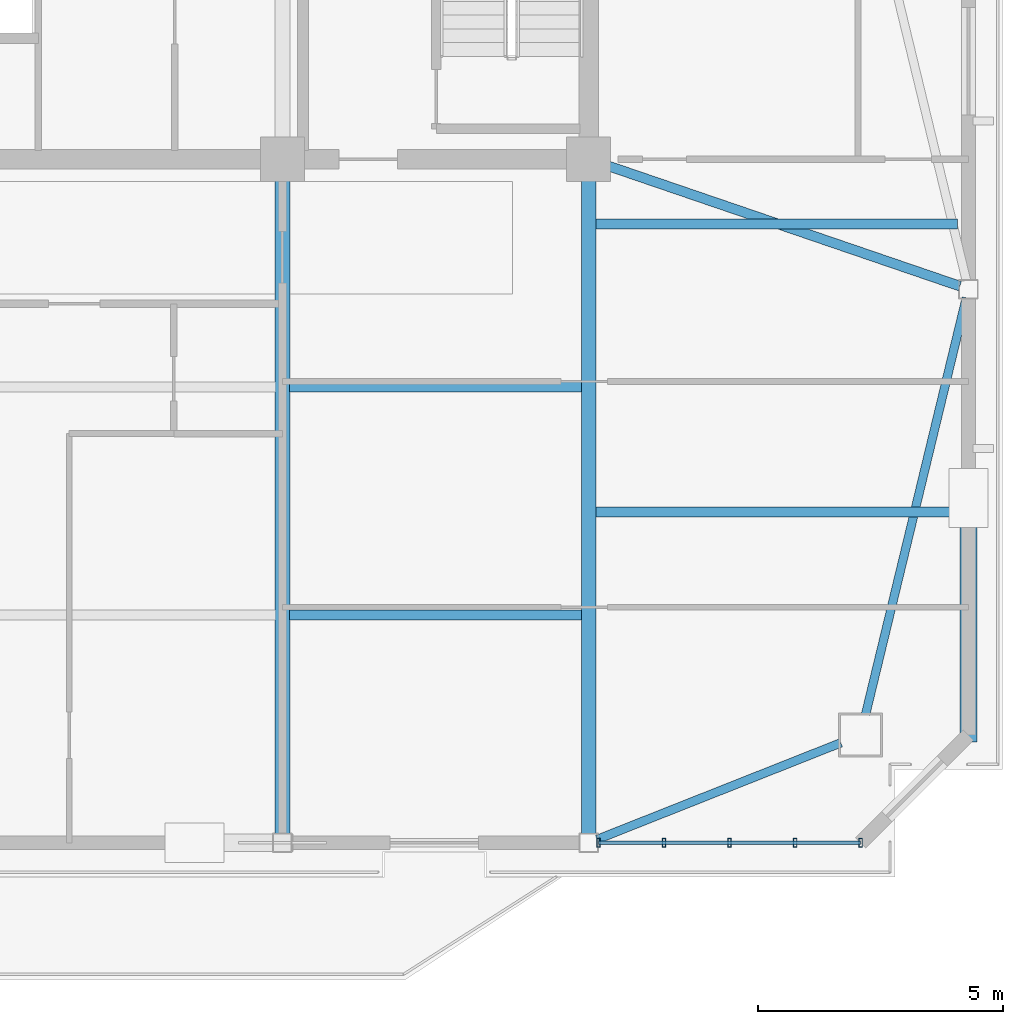
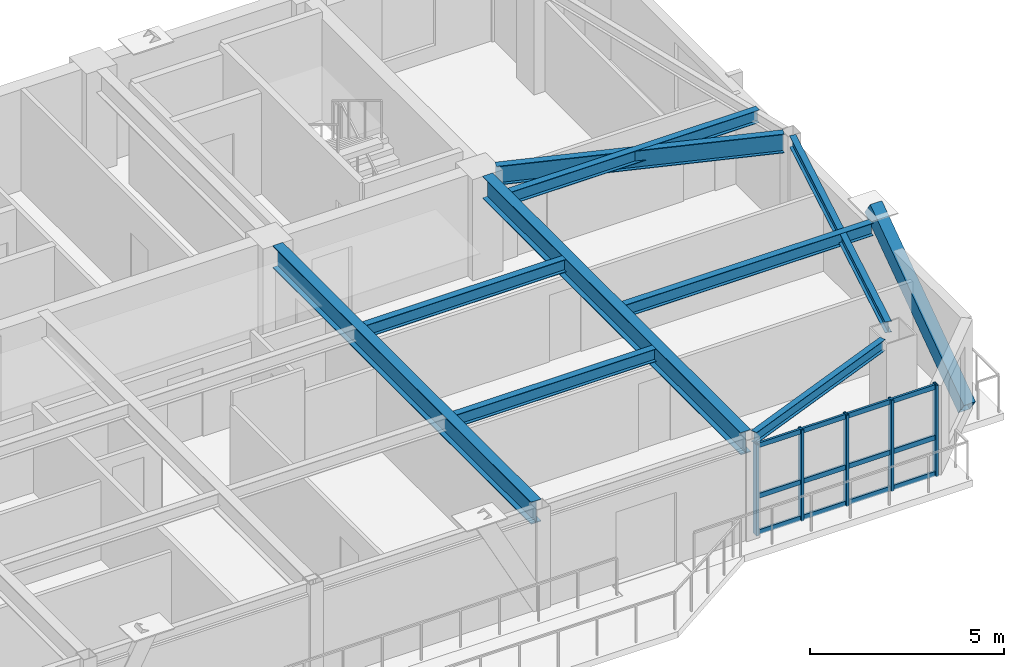
# One storey, part 4 of 12: 9 beams, 9 members, 1 element without a shape of its own.
"""IFC4 building model written with IfcOpenShell, lengths in metres."""

from ifc_helpers import new_model, si_unit, direction, frame, origin, origin_2d, place, context, subcontext, project, spatial, hollow_rectangle, i_section, extrude, source, transform, mapped, material, layer, layer_set, material_profile, profile_set, type_object, element, aggregate, save


model = new_model("IFC4")

# Units and contexts
model_context = context("Model", 3, precision=1e-05, world=origin(), true_north=direction((0.0, 1.0)))
body_context = subcontext(model_context, "Body", "Model", "MODEL_VIEW")
ifc_project = project(units=[si_unit("LENGTHUNIT", "METRE"), si_unit("AREAUNIT", "SQUARE_METRE"), si_unit("VOLUMEUNIT", "CUBIC_METRE"), si_unit("PLANEANGLEUNIT", "RADIAN"), si_unit("MASSUNIT", "GRAM", prefix="KILO")], contexts=[model_context])

# Site, building, storey
site_placement = place(None, origin())
site = spatial("IfcSite", under=ifc_project, at=site_placement, CompositionType="ELEMENT")
building_placement = place(site_placement, origin())
building = spatial("IfcBuilding", under=site, at=building_placement, Name="Giltprow Tower", CompositionType="ELEMENT")
storey_placement = place(building_placement, frame((0.0, 0.0, 345.89990234375)))
storey = spatial("IfcBuildingStorey", under=building, at=storey_placement, Name="L90", CompositionType="ELEMENT", Elevation=345.89990234375)

# Beams
ifc_material_1 = material(Name="Structural steel Q355B", Category="steel")
ifc_material_profile_1 = material_profile(ifc_material_1, i_section(OverallWidth=0.199951171875, OverallDepth=0.39990234375, WebThickness=0.008056640625, FlangeThickness=0.012939453125, at=origin_2d()), Name="HN 400x200x8x13")
ifc_profile_set_1 = profile_set([ifc_material_profile_1], Name="Structural steel Q355B")
beam_type_1 = type_object("IfcBeamType", Name="BM-JOIST-HN400", PredefinedType="JOIST", material=ifc_profile_set_1)
shared_shape_1 = source(origin(), body_context, "Body", "SweptSolid", [
    extrude(i_section(OverallWidth=0.199951171875, OverallDepth=0.39990234375, WebThickness=0.008056640625, FlangeThickness=0.012939453125, at=origin_2d()), origin(), (0.0, 0.0, 1.0), 5.9599609375),
])
for number, where, z_axis, x_axis, name in (
    (1, (44.445068359375, 28.14990234375, 2.985107421875), (1.0, 0.0, 0.0), (0.0, 1.0, 0.0), "L90 Composite Floor Joist 1-4"),
    (2, (44.445068359375, 32.800048828125, 2.985107421875), (1.0, 0.0, 0.0), (0.0, 1.0, 0.0), "L90 Composite Floor Joist 2-4"),
):
    element("IfcBeam", number, at=place(storey_placement, frame(where, z_axis=z_axis, x_axis=x_axis)), inside=storey, type_object=beam_type_1, Name=name, PredefinedType="JOIST", context=body_context, shape_type="MappedRepresentation", body=[
        mapped(shared_shape_1, transform((0.0, 0.0, 0.0), x_axis=(1.0, 0.0, 0.0), y_axis=(0.0, 1.0, 0.0), z_axis=(0.0, 0.0, 1.0), scale=1.0)),
    ])
ifc_material_profile_2 = material_profile(ifc_material_1, i_section(OverallWidth=0.175048828125, OverallDepth=0.35009765625, WebThickness=0.007080078125, FlangeThickness=0.010986328125, at=origin_2d()), Name="HN 350x175x7x11")
ifc_profile_set_2 = profile_set([ifc_material_profile_2], Name="Structural steel Q355B")
beam_type_2 = type_object("IfcBeamType", Name="BM-SPAN-HN350", PredefinedType="SPANDREL", material=ifc_profile_set_2)
shared_shape_2 = source(origin(), body_context, "Body", "SweptSolid", [
    extrude(i_section(OverallWidth=0.175048828125, OverallDepth=0.35009765625, WebThickness=0.007080078125, FlangeThickness=0.010986328125, at=origin_2d()), origin(), (0.0, 0.0, 1.0), 5.350830078125),
])
beam_1_placement = place(storey_placement, frame((50.721923828125, 23.568115234375, 3.010009765625), z_axis=(0.929614560118, 0.368533267992, 0.0), x_axis=(-0.368533267992, 0.929614560118, 0.0)))
element("IfcBeam", 3, at=beam_1_placement, inside=storey, type_object=beam_type_2, Name="L90 Perimeter Spandrel Beam S4-MC_SE", PredefinedType="SPANDREL", context=body_context, shape_type="MappedRepresentation", body=[
    mapped(shared_shape_2, transform((0.0, 0.0, 0.0), x_axis=(1.0, 0.0, 0.0), y_axis=(0.0, 1.0, 0.0), z_axis=(0.0, 0.0, 1.0), scale=1.0)),
])
shared_shape_3 = source(origin(), body_context, "Body", "SweptSolid", [
    extrude(i_section(OverallWidth=0.175048828125, OverallDepth=0.35009765625, WebThickness=0.007080078125, FlangeThickness=0.010986328125, at=origin_2d()), origin(), (0.0, 0.0, 1.0), 8.7421875),
])
beam_2_placement = place(storey_placement, frame((56.201904296875, 26.123046875, 3.010009765625), z_axis=(0.235090039637, 0.971973596999, 0.0), x_axis=(-0.971973596999, 0.235090039637, 0.0)))
element("IfcBeam", 4, at=beam_2_placement, inside=storey, type_object=beam_type_2, Name="L90 Perimeter Spandrel Beam MC_SE-E_MID", PredefinedType="SPANDREL", context=body_context, shape_type="MappedRepresentation", body=[
    mapped(shared_shape_3, transform((0.0, 0.0, 0.0), x_axis=(1.0, 0.0, 0.0), y_axis=(0.0, 1.0, 0.0), z_axis=(0.0, 0.0, 1.0), scale=1.0)),
])
ifc_material_profile_3 = material_profile(ifc_material_1, i_section(OverallWidth=0.300048828125, OverallDepth=0.699951171875, WebThickness=0.012939453125, FlangeThickness=0.02392578125, at=origin_2d()), Name="HN 700x300x13x24")
ifc_profile_set_3 = profile_set([ifc_material_profile_3], Name="Structural steel Q355B")
beam_type_3 = type_object("IfcBeamType", Name="BM-GIRD-HN700", PredefinedType="BEAM", material=ifc_profile_set_3)
shared_shape_4 = source(origin(), body_context, "Body", "SweptSolid", [
    extrude(i_section(OverallWidth=0.300048828125, OverallDepth=0.699951171875, WebThickness=0.012939453125, FlangeThickness=0.02392578125, at=origin_2d()), origin(), (0.0, 0.0, 1.0), 13.329833984375),
])
for number, where, z_axis, x_axis, name in (
    (5, (44.300048828125, 23.68505859375, 2.835205078125), (0.0, 1.0, 0.0), (-1.0, 0.0, 0.0), "L90 Primary Lease Girder S3"),
    (6, (50.550048828125, 23.68505859375, 2.835205078125), (0.0, 1.0, 0.0), (-1.0, 0.0, 0.0), "L90 Primary Lease Girder S4"),
):
    element("IfcBeam", number, at=place(storey_placement, frame(where, z_axis=z_axis, x_axis=x_axis)), inside=storey, type_object=beam_type_3, Name=name, PredefinedType="BEAM", context=body_context, shape_type="MappedRepresentation", body=[
        mapped(shared_shape_4, transform((0.0, 0.0, 0.0), x_axis=(1.0, 0.0, 0.0), y_axis=(0.0, 1.0, 0.0), z_axis=(0.0, 0.0, 1.0), scale=1.0)),
    ])
ifc_material_profile_4 = material_profile(ifc_material_1, i_section(OverallWidth=0.199951171875, OverallDepth=0.60009765625, WebThickness=0.010986328125, FlangeThickness=0.01708984375, at=origin_2d()), Name="HN 600x200x11x17")
ifc_profile_set_4 = profile_set([ifc_material_profile_4], Name="Structural steel Q355B")
beam_type_4 = type_object("IfcBeamType", Name="BM-GIRD-HN600", PredefinedType="BEAM", material=ifc_profile_set_4)
shared_shape_5 = source(origin(), body_context, "Body", "SweptSolid", [
    extrude(i_section(OverallWidth=0.199951171875, OverallDepth=0.60009765625, WebThickness=0.010986328125, FlangeThickness=0.01708984375, at=origin_2d()), origin(), (0.0, 0.0, 1.0), 7.570068359375),
])
beam_3_placement = place(storey_placement, frame((58.125, 34.860107421875, 2.885009765625), z_axis=(-0.946226868373, 0.323503807657, 0.0), x_axis=(-0.323503807657, -0.946226868373, 0.0)))
element("IfcBeam", 7, at=beam_3_placement, inside=storey, type_object=beam_type_4, Name="L90 East Wing Primary Girder", PredefinedType="BEAM", context=body_context, shape_type="MappedRepresentation", body=[
    mapped(shared_shape_5, transform((0.0, 0.0, 0.0), x_axis=(1.0, 0.0, 0.0), y_axis=(0.0, 1.0, 0.0), z_axis=(0.0, 0.0, 1.0), scale=1.0)),
])
shared_shape_6 = source(origin(), body_context, "Body", "SweptSolid", [
    extrude(i_section(OverallWidth=0.199951171875, OverallDepth=0.39990234375, WebThickness=0.008056640625, FlangeThickness=0.012939453125, at=origin_2d()), origin(), (0.0, 0.0, 1.0), 7.385009765625),
])
for number, where, z_axis, x_axis, name in (
    (8, (50.695068359375, 30.25, 2.985107421875), (1.0, 0.0, 0.0), (0.0, 1.0, 0.0), "L90 East Wing Floor Joist 1"),
    (9, (50.695068359375, 36.125, 2.985107421875), (1.0, 0.0, 0.0), (0.0, 1.0, 0.0), "L90 East Wing Floor Joist 2"),
):
    element("IfcBeam", number, at=place(storey_placement, frame(where, z_axis=z_axis, x_axis=x_axis)), inside=storey, type_object=beam_type_1, Name=name, PredefinedType="JOIST", context=body_context, shape_type="MappedRepresentation", body=[
        mapped(shared_shape_6, transform((0.0, 0.0, 0.0), x_axis=(1.0, 0.0, 0.0), y_axis=(0.0, 1.0, 0.0), z_axis=(0.0, 0.0, 1.0), scale=1.0)),
    ])

# Member
ifc_material_2 = material(Name="Structural steel Q420GJC", Category="steel")
ifc_material_profile_5 = material_profile(ifc_material_2, hollow_rectangle(XDim=0.35009765625, YDim=0.5, WallThickness=0.02392578125, at=origin_2d()), Name="RHS 500x350x24")
ifc_profile_set_5 = profile_set([ifc_material_profile_5], Name="Structural steel Q420GJC")
member_type_1 = type_object("IfcMemberType", Name="MBR-MEGA-RHS500", PredefinedType="BRACE", material=ifc_profile_set_5)
shared_shape_7 = source(origin(), body_context, "Body", "SweptSolid", [
    extrude(hollow_rectangle(XDim=0.35009765625, YDim=0.5, WallThickness=0.02392578125, at=origin_2d()), origin(), (0.0, 0.0, 1.0), 5.909912109375),
])
member_1_placement = place(storey_placement, frame((58.300048828125, 25.699951171875, 0.0), z_axis=(0.0, 0.817929533426, 0.575318414749), x_axis=(-1.0, 0.0, 0.0)))
element("IfcMember", 10, at=member_1_placement, inside=storey, type_object=member_type_1, Name="L90 Chevron Mega-Brace E-D", PredefinedType="BRACE", context=body_context, shape_type="MappedRepresentation", body=[
    mapped(shared_shape_7, transform((0.0, 0.0, 0.0), x_axis=(1.0, 0.0, 0.0), y_axis=(0.0, 1.0, 0.0), z_axis=(0.0, 0.0, 1.0), scale=1.0)),
])

# Curtain wall, members
ifc_material_3 = material(Name="Anodized bronze", Category="metal")
ifc_layer = layer(ifc_material_3, 0.179931640625, Name="Anodized bronze")
ifc_layer_set = layer_set([ifc_layer], Name="Anodized bronze")
curtain_wall_type = type_object("IfcCurtainWallType", Name="CW-RES-SKY", PredefinedType="NOTDEFINED", material=ifc_layer_set)
curtain_wall_placement = place(storey_placement, origin())
curtain_wall = element("IfcCurtainWall", 11, at=curtain_wall_placement, inside=storey, type_object=curtain_wall_type, Name="L90 South Recessed Curtain Wall 6", PredefinedType="NOTDEFINED")
ifc_material_profile_6 = material_profile(ifc_material_3, hollow_rectangle(XDim=0.074951171875, YDim=0.179931640625, WallThickness=0.008056640625, at=origin_2d()), Name="RHS 180x75x8")
ifc_profile_set_6 = profile_set([ifc_material_profile_6], Name="Anodized bronze")
member_type_2 = type_object("IfcMemberType", Name="CW-MULLION-180x75", PredefinedType="MULLION", material=ifc_profile_set_6)
shared_shape_8 = source(origin(), body_context, "Body", "SweptSolid", [
    extrude(hollow_rectangle(XDim=0.074951171875, YDim=0.179931640625, WallThickness=0.008056640625, at=origin_2d()), origin(), (0.0, 0.0, 1.0), 2.8701171875),
])
member_2_placement = place(storey_placement, frame((50.75, 23.5, -0.02001953125), z_axis=(0.0, 0.0, 1.0), x_axis=(1.0, 0.0, 0.0)))
member_2 = element("IfcMember", 12, at=member_2_placement, type_object=member_type_2, Name="L90 South Recessed Curtain Wall 6 Mullion 1", PredefinedType="MULLION", context=body_context, shape_type="MappedRepresentation", body=[
    mapped(shared_shape_8, transform((0.0, 0.0, 0.0), x_axis=(1.0, 0.0, 0.0), y_axis=(0.0, 1.0, 0.0), z_axis=(0.0, 0.0, 1.0), scale=1.0)),
])
member_3_placement = place(storey_placement, frame((52.0869140625, 23.5, -0.02001953125), z_axis=(0.0, 0.0, 1.0), x_axis=(1.0, 0.0, 0.0)))
member_3 = element("IfcMember", 13, at=member_3_placement, type_object=member_type_2, Name="L90 South Recessed Curtain Wall 6 Mullion 2", PredefinedType="MULLION", context=body_context, shape_type="MappedRepresentation", body=[
    mapped(shared_shape_8, transform((0.0, 0.0, 0.0), x_axis=(1.0, 0.0, 0.0), y_axis=(0.0, 1.0, 0.0), z_axis=(0.0, 0.0, 1.0), scale=1.0)),
])
member_4_placement = place(storey_placement, frame((53.425048828125, 23.5, -0.02001953125), z_axis=(0.0, 0.0, 1.0), x_axis=(1.0, 0.0, 0.0)))
member_4 = element("IfcMember", 14, at=member_4_placement, type_object=member_type_2, Name="L90 South Recessed Curtain Wall 6 Mullion 3", PredefinedType="MULLION", context=body_context, shape_type="MappedRepresentation", body=[
    mapped(shared_shape_8, transform((0.0, 0.0, 0.0), x_axis=(1.0, 0.0, 0.0), y_axis=(0.0, 1.0, 0.0), z_axis=(0.0, 0.0, 1.0), scale=1.0)),
])
member_5_placement = place(storey_placement, frame((54.762939453125, 23.5, -0.02001953125), z_axis=(0.0, 0.0, 1.0), x_axis=(1.0, 0.0, 0.0)))
member_5 = element("IfcMember", 15, at=member_5_placement, type_object=member_type_2, Name="L90 South Recessed Curtain Wall 6 Mullion 4", PredefinedType="MULLION", context=body_context, shape_type="MappedRepresentation", body=[
    mapped(shared_shape_8, transform((0.0, 0.0, 0.0), x_axis=(1.0, 0.0, 0.0), y_axis=(0.0, 1.0, 0.0), z_axis=(0.0, 0.0, 1.0), scale=1.0)),
])
member_6_placement = place(storey_placement, frame((56.10009765625, 23.5, -0.02001953125), z_axis=(0.0, 0.0, 1.0), x_axis=(1.0, 0.0, 0.0)))
member_6 = element("IfcMember", 16, at=member_6_placement, type_object=member_type_2, Name="L90 South Recessed Curtain Wall 6 Mullion 5", PredefinedType="MULLION", context=body_context, shape_type="MappedRepresentation", body=[
    mapped(shared_shape_8, transform((0.0, 0.0, 0.0), x_axis=(1.0, 0.0, 0.0), y_axis=(0.0, 1.0, 0.0), z_axis=(0.0, 0.0, 1.0), scale=1.0)),
])
ifc_material_profile_7 = material_profile(ifc_material_3, hollow_rectangle(XDim=0.06494140625, YDim=0.14990234375, WallThickness=0.006103515625, at=origin_2d()), Name="RHS 150x65x6")
ifc_profile_set_7 = profile_set([ifc_material_profile_7], Name="Anodized bronze")
member_type_3 = type_object("IfcMemberType", Name="CW-TRANSOM-150x65", PredefinedType="USERDEFINED", material=ifc_profile_set_7)
shared_shape_9 = source(origin(), body_context, "Body", "SweptSolid", [
    extrude(hollow_rectangle(XDim=0.06494140625, YDim=0.14990234375, WallThickness=0.006103515625, at=origin_2d()), origin(), (0.0, 0.0, 1.0), 5.35009765625),
])
member_7_placement = place(storey_placement, frame((50.75, 23.5, 0.0400390625), z_axis=(1.0, 0.0, 0.0), x_axis=(0.0, 1.0, 0.0)))
member_7 = element("IfcMember", 17, at=member_7_placement, type_object=member_type_3, Name="L90 South Recessed Curtain Wall 6 Transom 1", ObjectType="TRANSOM", PredefinedType="USERDEFINED", context=body_context, shape_type="MappedRepresentation", body=[
    mapped(shared_shape_9, transform((0.0, 0.0, 0.0), x_axis=(1.0, 0.0, 0.0), y_axis=(0.0, 1.0, 0.0), z_axis=(0.0, 0.0, 1.0), scale=1.0)),
])
member_8_placement = place(storey_placement, frame((50.75, 23.5, 1.18212890625), z_axis=(1.0, 0.0, 0.0), x_axis=(0.0, 1.0, 0.0)))
member_8 = element("IfcMember", 18, at=member_8_placement, type_object=member_type_3, Name="L90 South Recessed Curtain Wall 6 Transom 2", ObjectType="TRANSOM", PredefinedType="USERDEFINED", context=body_context, shape_type="MappedRepresentation", body=[
    mapped(shared_shape_9, transform((0.0, 0.0, 0.0), x_axis=(1.0, 0.0, 0.0), y_axis=(0.0, 1.0, 0.0), z_axis=(0.0, 0.0, 1.0), scale=1.0)),
])
member_9_placement = place(storey_placement, frame((50.75, 23.5, 2.775146484375), z_axis=(1.0, 0.0, 0.0), x_axis=(0.0, 1.0, 0.0)))
member_9 = element("IfcMember", 19, at=member_9_placement, type_object=member_type_3, Name="L90 South Recessed Curtain Wall 6 Transom 3", ObjectType="TRANSOM", PredefinedType="USERDEFINED", context=body_context, shape_type="MappedRepresentation", body=[
    mapped(shared_shape_9, transform((0.0, 0.0, 0.0), x_axis=(1.0, 0.0, 0.0), y_axis=(0.0, 1.0, 0.0), z_axis=(0.0, 0.0, 1.0), scale=1.0)),
])
aggregate(curtain_wall, [member_2, member_3, member_4, member_5, member_6, member_7, member_8, member_9])

save(model, "model.ifc")
